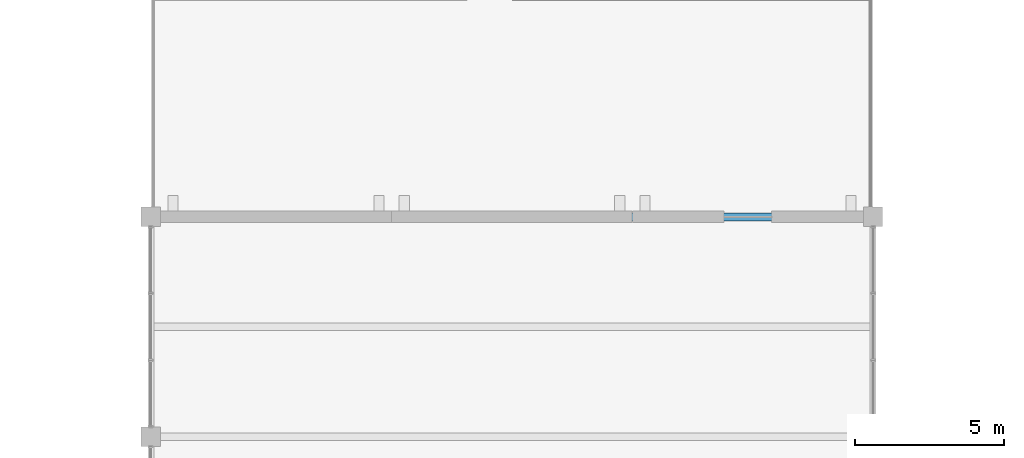
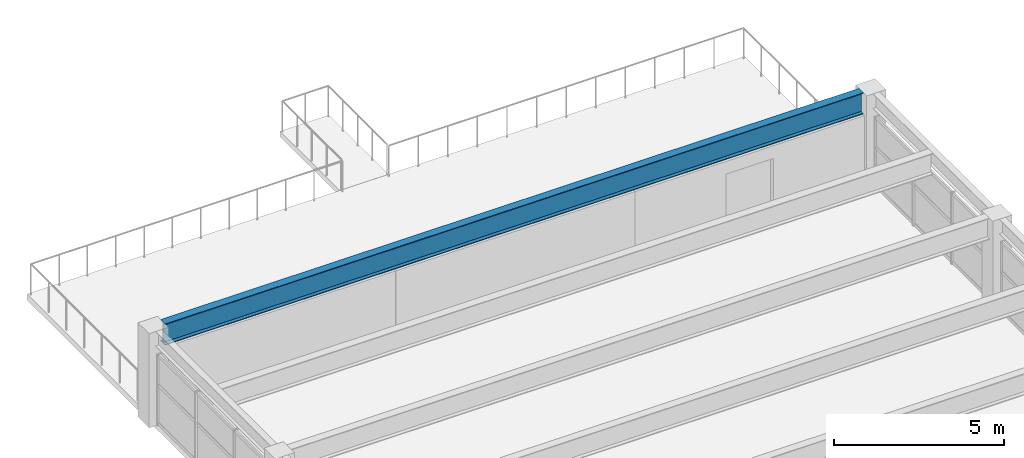
# One storey, part 59 of 93: 1 beam.
"""IFC4 building model written with IfcOpenShell, lengths in metres."""

import ifcopenshell
import ifcopenshell.guid

model = None  # the IFC model being written
_history = None  # IfcOwnerHistory: only IFC2X3 demands one
_inside = {}  # id of a spatial element -> (the spatial element, [elements in it])
_under = {}  # id of a project, library or spatial element -> (it, [spatial elements below it])
_declared = {}  # id of a project -> (the project, [libraries it declares])
_typed = {}  # id of a type object -> (the type object, [elements of that type])
_made_of = {}  # id of a material, layer set ... -> (it, [elements and type objects made of it])


def new_model(schema):
    """Start an empty IFC model of exactly this schema.

    Asked for "IFC4X3", IfcOpenShell would pick the latest addendum, in which some entities
    have other attributes; the version numbers below select the first issue.
    IFC2X3 requires an IfcOwnerHistory on every rooted entity: one is made here for all.
    """
    global model, _history
    if schema == "IFC4X3":
        model = ifcopenshell.file(schema_version=(4, 3, 0, 0))
    else:
        model = ifcopenshell.file(schema=schema)
    _inside.clear()
    _under.clear()
    _declared.clear()
    _typed.clear()
    _made_of.clear()
    _history = None
    if model.schema == "IFC2X3":
        org = make("IfcOrganization", Name="unknown")
        user = make(
            "IfcPersonAndOrganization",
            ThePerson=make("IfcPerson", FamilyName="unknown"),
            TheOrganization=org,
        )
        app = make(
            "IfcApplication",
            ApplicationDeveloper=org,
            Version="unknown",
            ApplicationFullName="unknown",
            ApplicationIdentifier="unknown",
        )
        _history = make(
            "IfcOwnerHistory",
            OwningUser=user,
            OwningApplication=app,
            ChangeAction="ADDED",
            CreationDate=0,
        )
    return model


def make(cls, **values):
    """One entity of the class cls with the attributes given. An attribute that is None is left unset."""
    return model.create_entity(
        cls, **{name: value for name, value in values.items() if value is not None}
    )


def rooted(cls, **values):
    """An entity with a GlobalId (a new one), such as an element, a storey or a relation."""
    return make(cls, GlobalId=ifcopenshell.guid.new(), OwnerHistory=_history, **values)


def si_unit(unit_type, name, prefix=None):
    """IfcSIUnit, for example si_unit("LENGTHUNIT", "METRE", prefix="MILLI")."""
    return make("IfcSIUnit", UnitType=unit_type, Prefix=prefix, Name=name)


def assignment(units):
    """IfcUnitAssignment: the units of a project."""
    return None if units is None else make("IfcUnitAssignment", Units=units)


def point(xyz):
    """IfcCartesianPoint."""
    return None if xyz is None else make("IfcCartesianPoint", Coordinates=xyz)


def direction(xyz):
    """IfcDirection."""
    return None if xyz is None else make("IfcDirection", DirectionRatios=xyz)


def frame(location, z_axis=None, x_axis=None):
    """IfcAxis2Placement3D, a coordinate frame: its origin and axes. An axis left out is left unset."""
    return make(
        "IfcAxis2Placement3D",
        Location=point(location),
        Axis=direction(z_axis),
        RefDirection=direction(x_axis),
    )


def frame_2d(location, x_axis=None):
    """IfcAxis2Placement2D, a coordinate frame in the plane: its origin and x axis."""
    return make(
        "IfcAxis2Placement2D", Location=point(location), RefDirection=direction(x_axis)
    )


def origin():
    """The frame at (0, 0, 0) with its axes left unset."""
    return frame((0.0, 0.0, 0.0))


def origin_2d():
    """The frame at (0, 0) in the plane with its x axis left unset."""
    return frame_2d((0.0, 0.0))


def place(relative_to, where):
    """IfcLocalPlacement: puts the frame where relative to a parent placement (None: the world)."""
    return make(
        "IfcLocalPlacement", PlacementRelTo=relative_to, RelativePlacement=where
    )


def context(
    kind, dimensions, precision=None, world=None, true_north=None, identifier=None
):
    """IfcGeometricRepresentationContext, for example the 3D "Model" context."""
    return make(
        "IfcGeometricRepresentationContext",
        ContextIdentifier=identifier,
        ContextType=kind,
        CoordinateSpaceDimension=dimensions,
        Precision=precision,
        WorldCoordinateSystem=world,
        TrueNorth=true_north,
    )


def subcontext(parent, identifier, kind, view, scale=None):
    """IfcGeometricRepresentationSubContext, for example "Body" below "Model"."""
    return make(
        "IfcGeometricRepresentationSubContext",
        ContextIdentifier=identifier,
        ContextType=kind,
        ParentContext=parent,
        TargetScale=scale,
        TargetView=view,
    )


def project(units=None, contexts=None):
    """IfcProject with its units and contexts."""
    return rooted(
        "IfcProject",
        Name="project",
        RepresentationContexts=contexts,
        UnitsInContext=assignment(units),
    )


def spatial(cls, under=None, at=None, **own):
    """A site, building, storey or space (cls), placed at a placement, below another one or the project."""
    s = rooted(cls, ObjectPlacement=at, **own)
    if under is not None:
        _under.setdefault(under.id(), (under, []))[1].append(s)
    return s


def profile(cls, at=None, kind="AREA", **sizes):
    """A parametric profile (cls). Its sizes go by their IFC names, for example OverallWidth=200.0."""
    return make(cls, ProfileType=kind, Position=at, **sizes)


def i_section(**sizes):
    """IfcIShapeProfileDef."""
    return profile("IfcIShapeProfileDef", **sizes)


def extrude(swept, where, along, depth):
    """IfcExtrudedAreaSolid: the profile swept, set in the frame where, extruded along a direction by depth."""
    return make(
        "IfcExtrudedAreaSolid",
        SweptArea=swept,
        Position=where,
        ExtrudedDirection=direction(along),
        Depth=depth,
    )


def shape(context_of_items, identifier, shape_type, items):
    """IfcShapeRepresentation: the items that make up one representation, for example the "Body"."""
    return make(
        "IfcShapeRepresentation",
        ContextOfItems=context_of_items,
        RepresentationIdentifier=identifier,
        RepresentationType=shape_type,
        Items=items,
    )


def material(Name=None, Category=None):
    """IfcMaterial."""
    return make("IfcMaterial", Name=Name, Category=Category)


def material_profile(
    of_material, cross_section, Name=None, Category=None, Priority=None
):
    """IfcMaterialProfile: a cross section and its material."""
    return make(
        "IfcMaterialProfile",
        Name=Name,
        Material=of_material,
        Profile=cross_section,
        Priority=Priority,
        Category=Category,
    )


def profile_set(profiles, Name=None, composite=None):
    """IfcMaterialProfileSet."""
    return make(
        "IfcMaterialProfileSet",
        Name=Name,
        MaterialProfiles=profiles,
        CompositeProfile=composite,
    )


def made_of(thing, what):
    """Note that an element or type object is made of a material, layer set ...; save() writes the relation."""
    if what is not None:
        _made_of.setdefault(what.id(), (what, []))[1].append(thing)
    return thing


def type_object(cls, material=None, **own):
    """A type object (cls), such as IfcWallType, which elements share."""
    return made_of(rooted(cls, **own), material)


def element(
    cls,
    number,
    at=None,
    inside=None,
    cuts=None,
    type_object=None,
    material=None,
    context=None,
    identifier="Body",
    shape_type=None,
    held_by="IfcProductDefinitionShape",
    body=None,
    shapes=None,
    **own,
):
    """One element of the class cls, such as IfcWall. Its Tag is "e" and its number.

    at: its placement. inside: the storey or other place that contains it. cuts: it is an
    opening in that element (IfcRelVoidsElement). A single representation is given by context,
    identifier, shape_type and body (its items); several are given by shapes. held_by: the class
    of the entity that holds the representations. save() writes the other relations.
    """
    e = rooted(cls, Tag="e%d" % number, ObjectPlacement=at, **own)
    if body is not None:
        shapes = [shape(context, identifier, shape_type, body)]
    if shapes is not None:
        e.Representation = make(held_by, Representations=shapes)
    if inside is not None:
        _inside.setdefault(inside.id(), (inside, []))[1].append(e)
    if cuts is not None:
        rooted(
            "IfcRelVoidsElement", RelatingBuildingElement=cuts, RelatedOpeningElement=e
        )
    if type_object is not None:
        _typed.setdefault(type_object.id(), (type_object, []))[1].append(e)
    return made_of(e, material)


def aggregate(whole, parts):
    """IfcRelAggregates: a whole, such as a stair, and the parts it consists of."""
    return rooted("IfcRelAggregates", RelatingObject=whole, RelatedObjects=parts)


def save(model, path):
    """Write the relations noted so far, then the file.

    IfcRelAggregates (storeys below a building ...), IfcRelContainedInSpatialStructure (elements
    in a storey), IfcRelDefinesByType, IfcRelAssociatesMaterial and IfcRelDeclares: one each for
    every whole, place, type object, material and project.
    """
    for whole, parts in _under.values():
        aggregate(whole, parts)
    for where, things in _inside.values():
        rooted(
            "IfcRelContainedInSpatialStructure",
            RelatedElements=things,
            RelatingStructure=where,
        )
    for kind, things in _typed.values():
        rooted("IfcRelDefinesByType", RelatedObjects=things, RelatingType=kind)
    for what, things in _made_of.values():
        rooted("IfcRelAssociatesMaterial", RelatedObjects=things, RelatingMaterial=what)
    for by, libraries in _declared.values():
        rooted("IfcRelDeclares", RelatingContext=by, RelatedDefinitions=libraries)
    model.write(path)


model = new_model("IFC4")

# Units and contexts
model_context = context("Model", 3, precision=1e-05, world=origin(), true_north=direction((0.0, 1.0)))
body_context = subcontext(model_context, "Body", "Model", "MODEL_VIEW")
ifc_project = project(units=[si_unit("LENGTHUNIT", "METRE"), si_unit("AREAUNIT", "SQUARE_METRE"), si_unit("VOLUMEUNIT", "CUBIC_METRE"), si_unit("PLANEANGLEUNIT", "RADIAN"), si_unit("MASSUNIT", "GRAM", prefix="KILO")], contexts=[model_context])

# Site, building, storey
site_placement = place(None, origin())
site = spatial("IfcSite", under=ifc_project, at=site_placement, CompositionType="ELEMENT")
building_placement = place(site_placement, origin())
building = spatial("IfcBuilding", under=site, at=building_placement, Name="Cimatlan Art Gallery", CompositionType="ELEMENT")
storey_placement = place(building_placement, frame((0.0, 0.0, 13.800048828125)))
storey = spatial("IfcBuildingStorey", under=building, at=storey_placement, Name="L03", CompositionType="ELEMENT", Elevation=13.800048828125)

# Beam
ifc_material = material(Name="Steel ASTM A992 Grade 50", Category="steel")
ifc_material_profile = material_profile(ifc_material, i_section(OverallWidth=0.26708984375, OverallDepth=0.761962890625, WebThickness=0.014404296875, FlangeThickness=0.021484375, at=origin_2d()), Name="W30X116")
ifc_profile_set = profile_set([ifc_material_profile], Name="Steel ASTM A992 Grade 50")
beam_type = type_object("IfcBeamType", Name="BM-SPAN24-L04", PredefinedType="BEAM", material=ifc_profile_set)
beam_placement = place(storey_placement, frame((75.22509765625, 90.5, 2.9990234375), z_axis=(1.0, 0.0, 0.0), x_axis=(0.0, 1.0, 0.0)))
element("IfcBeam", 1, at=beam_placement, inside=storey, type_object=beam_type, Name="BM-SP24-L03-12", PredefinedType="BEAM", context=body_context, shape_type="SweptSolid", body=[
    extrude(i_section(OverallWidth=0.26708984375, OverallDepth=0.761962890625, WebThickness=0.014404296875, FlangeThickness=0.021484375, at=origin_2d()), origin(), (0.0, 0.0, 1.0), 23.64990234375),
])

save(model, "model.ifc")
